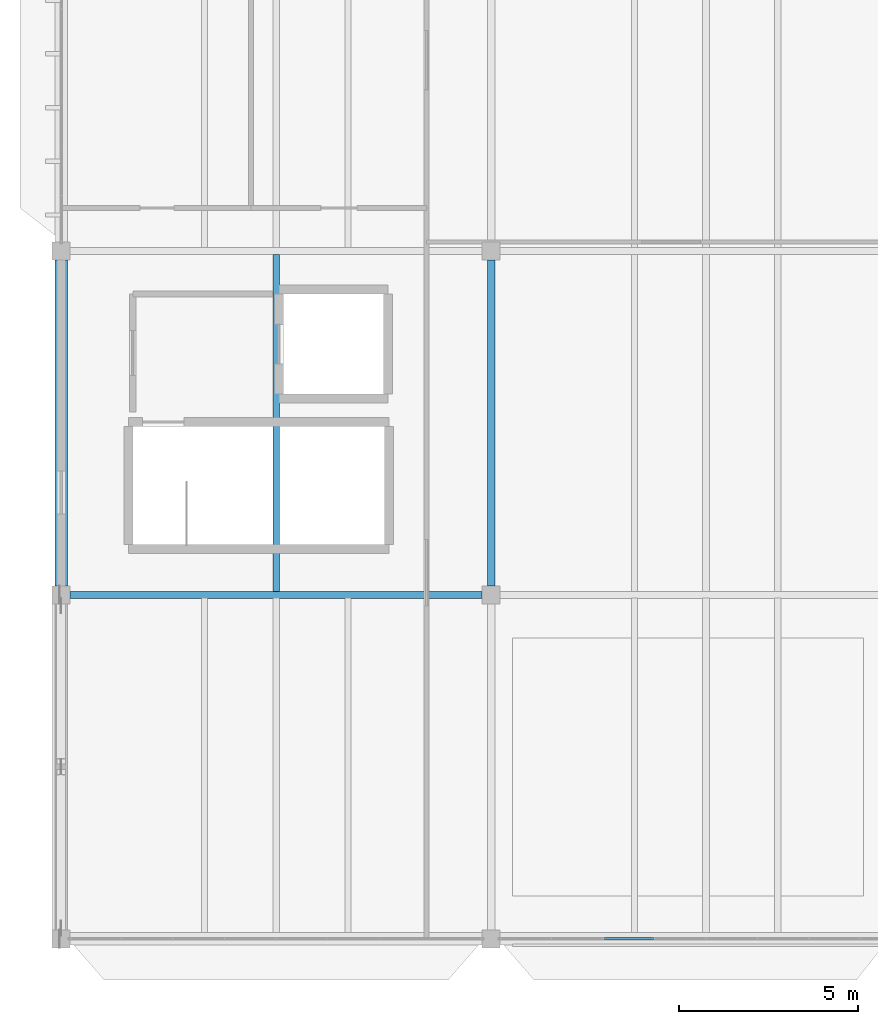
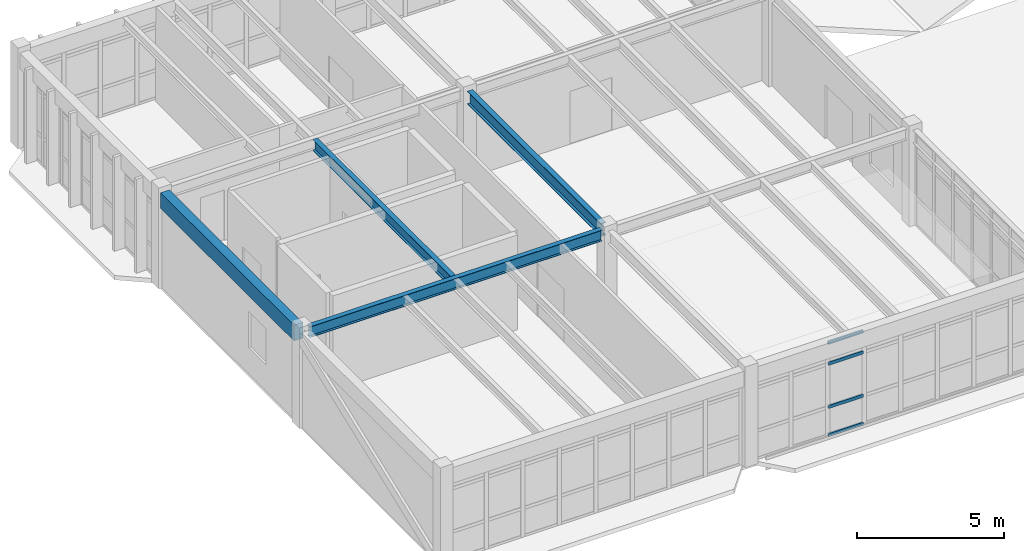
# One storey, part 10 of 83: 4 beams, 4 members, 1 element without a shape of its own.
"""IFC4 building model written with IfcOpenShell, lengths in metres."""

from ifc_helpers import new_model, si_unit, direction, frame, origin, origin_2d, place, context, subcontext, project, spatial, rectangle, hollow_rectangle, i_section, extrude, material, layer, layer_set, material_profile, profile_set, type_object, element, aggregate, save


model = new_model("IFC4")

# Units and contexts
model_context = context("Model", 3, precision=1e-05, world=origin(), true_north=direction((0.0, 1.0)))
body_context = subcontext(model_context, "Body", "Model", "MODEL_VIEW")
ifc_project = project(units=[si_unit("LENGTHUNIT", "METRE"), si_unit("AREAUNIT", "SQUARE_METRE"), si_unit("VOLUMEUNIT", "CUBIC_METRE"), si_unit("PLANEANGLEUNIT", "RADIAN"), si_unit("MASSUNIT", "GRAM", prefix="KILO")], contexts=[model_context])

# Site, building, storey
site_placement = place(None, origin())
site = spatial("IfcSite", under=ifc_project, at=site_placement, CompositionType="ELEMENT")
building_placement = place(site_placement, origin())
building = spatial("IfcBuilding", under=site, at=building_placement, Name="Pandanus Reach Market Hall", CompositionType="ELEMENT")
storey_placement = place(building_placement, frame((0.0, 0.0, 10.199951171875)))
storey = spatial("IfcBuildingStorey", under=building, at=storey_placement, Name="L02", CompositionType="ELEMENT", Elevation=10.199951171875)

# Beams
ifc_material_1 = material(Name="Concrete N40 (40 MPa)", Category="concrete")
ifc_material_profile_1 = material_profile(ifc_material_1, rectangle(XDim=0.35009765625, YDim=0.64990234375, at=origin_2d()), Name="RC350x650", Category="LoadBearing")
ifc_profile_set_1 = profile_set([ifc_material_profile_1], Name="Concrete N40 (40 MPa)")
beam_type_1 = type_object("IfcBeamType", Name="BM-RC350-E", PredefinedType="SPANDREL", material=ifc_profile_set_1)
beam_1_placement = place(storey_placement, frame((0.0, 9.847900390625, 3.655029296875), z_axis=(0.0, 1.0, 0.0), x_axis=(-1.0, 0.0, 0.0)))
element("IfcBeam", 1, at=beam_1_placement, inside=storey, type_object=beam_type_1, Name="Framing beam BM-RC350-E L02.1020", PredefinedType="SPANDREL", context=body_context, shape_type="SweptSolid", body=[
    extrude(rectangle(XDim=0.35009765625, YDim=0.64990234375, at=origin_2d()), origin(), (0.0, 0.0, 1.0), 9.10400390625),
])
ifc_material_2 = material(Name="Steel Grade 350 (350 MPa)", Category="steel")
ifc_material_profile_2 = material_profile(ifc_material_2, i_section(OverallWidth=0.18994140625, OverallDepth=0.45703125, WebThickness=0.009033203125, FlangeThickness=0.014404296875, at=origin_2d()), Name="460UB74.6", Category="LoadBearing")
ifc_profile_set_2 = profile_set([ifc_material_profile_2], Name="Steel Grade 350 (350 MPa)")
beam_type_2 = type_object("IfcBeamType", Name="BM-UB460-I", PredefinedType="BEAM", material=ifc_profile_set_2)
beam_2_placement = place(storey_placement, frame((0.248046875, 9.60009765625, 3.751220703125), z_axis=(1.0, 0.0, 0.0), x_axis=(0.0, 1.0, 0.0)))
element("IfcBeam", 2, at=beam_2_placement, inside=storey, type_object=beam_type_2, Name="Framing beam BM-UB460-I L02.1013", PredefinedType="BEAM", context=body_context, shape_type="SweptSolid", body=[
    extrude(i_section(OverallWidth=0.18994140625, OverallDepth=0.45703125, WebThickness=0.009033203125, FlangeThickness=0.014404296875, at=origin_2d()), origin(), (0.0, 0.0, 1.0), 11.50390625),
])
beam_3_placement = place(storey_placement, frame((6.0, 9.693115234375, 3.75), z_axis=(0.0, 1.0, 0.0), x_axis=(-1.0, 0.0, 0.0)))
element("IfcBeam", 3, at=beam_3_placement, inside=storey, type_object=beam_type_2, Name="Food court valley beam B1.9", PredefinedType="BEAM", context=body_context, shape_type="SweptSolid", body=[
    extrude(i_section(OverallWidth=0.18994140625, OverallDepth=0.45703125, WebThickness=0.009033203125, FlangeThickness=0.014404296875, at=origin_2d()), origin(), (0.0, 0.0, 1.0), 9.413818359375),
])
ifc_material_profile_3 = material_profile(ifc_material_2, i_section(OverallWidth=0.208984375, OverallDepth=0.532958984375, WebThickness=0.01025390625, FlangeThickness=0.015625, at=origin_2d()), Name="530UB92.4", Category="LoadBearing")
ifc_profile_set_3 = profile_set([ifc_material_profile_3], Name="Steel Grade 350 (350 MPa)")
beam_type_3 = type_object("IfcBeamType", Name="BM-UB530-I", PredefinedType="BEAM", material=ifc_profile_set_3)
beam_4_placement = place(storey_placement, frame((12.0, 9.847900390625, 3.713134765625), z_axis=(0.0, 1.0, 0.0), x_axis=(-1.0, 0.0, 0.0)))
element("IfcBeam", 4, at=beam_4_placement, inside=storey, type_object=beam_type_3, Name="Framing beam BM-UB530-I L02.1023", PredefinedType="BEAM", context=body_context, shape_type="SweptSolid", body=[
    extrude(i_section(OverallWidth=0.208984375, OverallDepth=0.532958984375, WebThickness=0.01025390625, FlangeThickness=0.015625, at=origin_2d()), origin(), (0.0, 0.0, 1.0), 9.10400390625),
])

# Curtain wall, members
ifc_material_3 = material(Name="Bronze anodised aluminium and low-E glass", Category="aluminium")
ifc_layer = layer(ifc_material_3, 0.159912109375, Name="CW-21")
ifc_layer_set = layer_set([ifc_layer], Name="Bronze anodised aluminium and low-E glass")
curtain_wall_type = type_object("IfcCurtainWallType", Name="CW-21", PredefinedType="NOTDEFINED", material=ifc_layer_set)
curtain_wall_placement = place(storey_placement, origin())
curtain_wall = element("IfcCurtainWall", 5, at=curtain_wall_placement, inside=storey, type_object=curtain_wall_type, Name="Glazed curtain wall CW-21 CW-0064", PredefinedType="NOTDEFINED")
ifc_material_4 = material(Name="Bronze anodised aluminium", Category="aluminium")
ifc_material_profile_4 = material_profile(ifc_material_4, hollow_rectangle(XDim=0.06494140625, YDim=0.1298828125, WallThickness=0.00390625, at=origin_2d()), Name="ALU65x130", Category="LoadBearing")
ifc_profile_set_4 = profile_set([ifc_material_profile_4], Name="Bronze anodised aluminium")
member_type = type_object("IfcMemberType", Name="CW-T1", PredefinedType="USERDEFINED", material=ifc_profile_set_4)
member_1_placement = place(storey_placement, frame((15.157470703125, 0.0, 0.032470703125), z_axis=(1.0, 0.0, 0.0), x_axis=(0.0, 1.0, 0.0)))
member_1 = element("IfcMember", 6, at=member_1_placement, type_object=member_type, Name="CW-21 transom 3.1", ObjectType="TRANSOM", PredefinedType="USERDEFINED", context=body_context, shape_type="SweptSolid", body=[
    extrude(hollow_rectangle(XDim=0.06494140625, YDim=0.1298828125, WallThickness=0.00390625, at=origin_2d()), origin(), (0.0, 0.0, 1.0), 1.37255859375),
])
member_2_placement = place(storey_placement, frame((15.157470703125, 0.0, 1.199951171875), z_axis=(1.0, 0.0, 0.0), x_axis=(0.0, 1.0, 0.0)))
member_2 = element("IfcMember", 7, at=member_2_placement, type_object=member_type, Name="CW-21 transom 3.2", ObjectType="TRANSOM", PredefinedType="USERDEFINED", context=body_context, shape_type="SweptSolid", body=[
    extrude(hollow_rectangle(XDim=0.06494140625, YDim=0.1298828125, WallThickness=0.00390625, at=origin_2d()), origin(), (0.0, 0.0, 1.0), 1.37255859375),
])
member_3_placement = place(storey_placement, frame((15.157470703125, 0.0, 3.0), z_axis=(1.0, 0.0, 0.0), x_axis=(0.0, 1.0, 0.0)))
member_3 = element("IfcMember", 8, at=member_3_placement, type_object=member_type, Name="CW-21 transom 3.3", ObjectType="TRANSOM", PredefinedType="USERDEFINED", context=body_context, shape_type="SweptSolid", body=[
    extrude(hollow_rectangle(XDim=0.06494140625, YDim=0.1298828125, WallThickness=0.00390625, at=origin_2d()), origin(), (0.0, 0.0, 1.0), 1.37255859375),
])
member_4_placement = place(storey_placement, frame((15.157470703125, 0.0, 3.867431640625), z_axis=(1.0, 0.0, 0.0), x_axis=(0.0, 1.0, 0.0)))
member_4 = element("IfcMember", 9, at=member_4_placement, type_object=member_type, Name="CW-21 transom 3.4", ObjectType="TRANSOM", PredefinedType="USERDEFINED", context=body_context, shape_type="SweptSolid", body=[
    extrude(hollow_rectangle(XDim=0.06494140625, YDim=0.1298828125, WallThickness=0.00390625, at=origin_2d()), origin(), (0.0, 0.0, 1.0), 1.37255859375),
])
aggregate(curtain_wall, [member_1, member_2, member_3, member_4])

save(model, "model.ifc")
